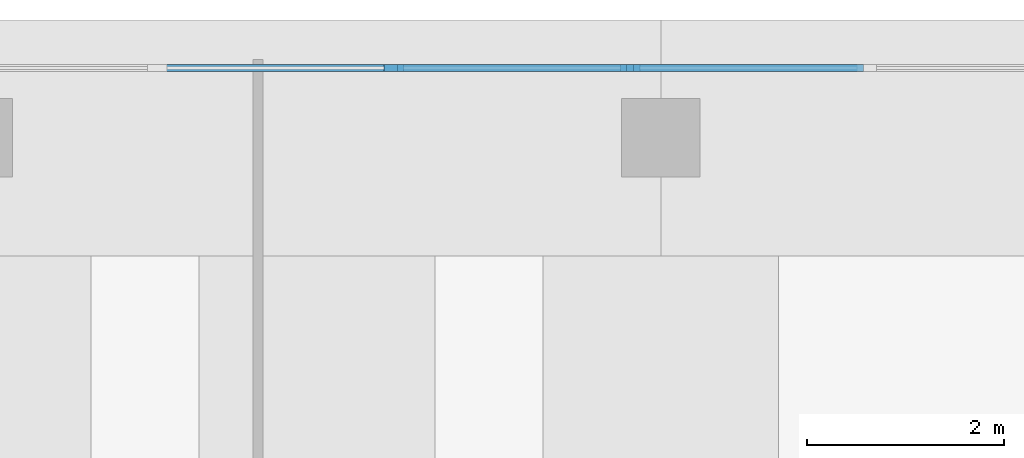
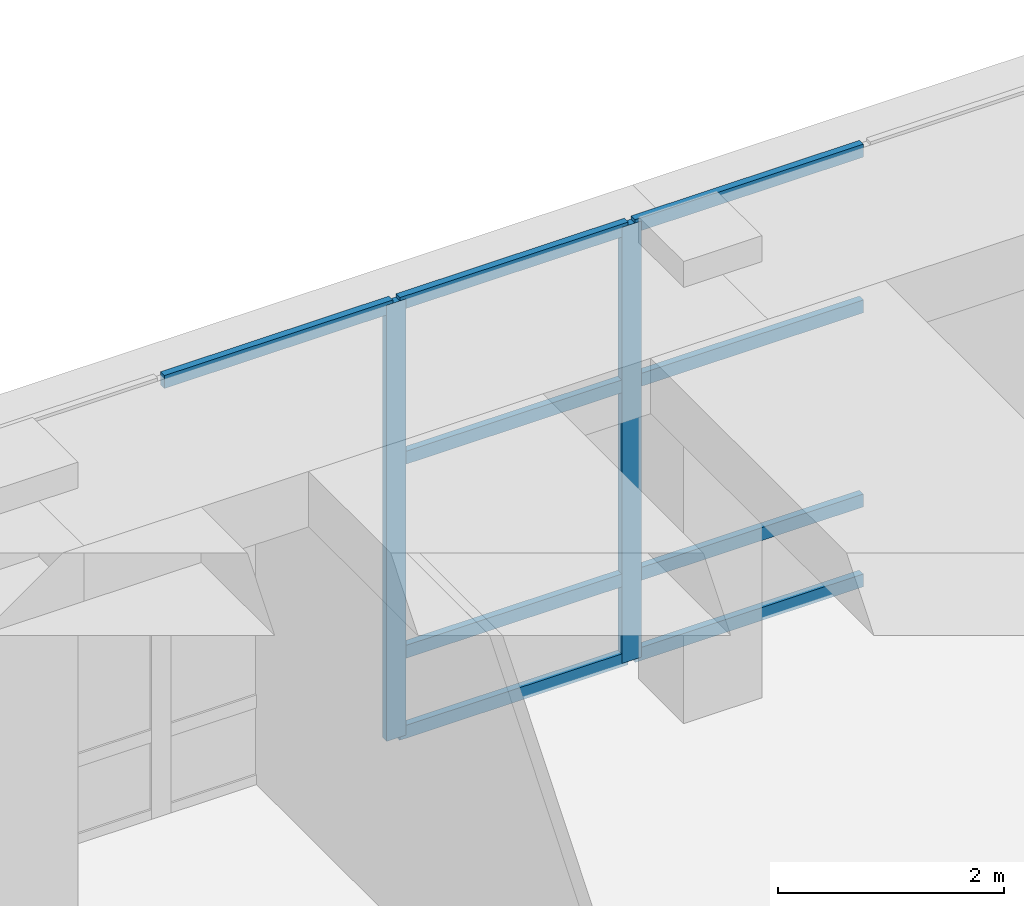
# One storey, part 10 of 22: 11 members, 1 element without a shape of its own.
"""IFC4 building model written with IfcOpenShell, lengths in metres."""

from ifc_helpers import new_model, si_unit, direction, frame, origin, origin_2d, place, context, subcontext, project, spatial, rectangle, extrude, material, material_profile, profile_set, type_object, element, aggregate, save


model = new_model("IFC4")

# Units and contexts
model_context = context("Model", 3, precision=1e-05, world=origin(), true_north=direction((0.0, 1.0)))
body_context = subcontext(model_context, "Body", "Model", "MODEL_VIEW")
ifc_project = project(units=[si_unit("LENGTHUNIT", "METRE"), si_unit("AREAUNIT", "SQUARE_METRE"), si_unit("VOLUMEUNIT", "CUBIC_METRE"), si_unit("PLANEANGLEUNIT", "RADIAN"), si_unit("MASSUNIT", "GRAM", prefix="KILO")], contexts=[model_context])

# Site, building, storey
site_placement = place(None, origin())
site = spatial("IfcSite", under=ifc_project, at=site_placement, CompositionType="ELEMENT")
building_placement = place(site_placement, origin())
building = spatial("IfcBuilding", under=site, at=building_placement, Name="Jalousie Tower", CompositionType="ELEMENT")
storey_placement = place(building_placement, frame((0.0, 0.0, 6.0)))
storey = spatial("IfcBuildingStorey", under=building, at=storey_placement, Name="L01", CompositionType="ELEMENT", Elevation=6.0)

# Curtain wall, members
ifc_material_1 = material(Name="Aluminium curtain wall", Category="aluminium")
curtain_wall_type = type_object("IfcCurtainWallType", Name="PODIUM WINDOW WALL", PredefinedType="USERDEFINED", material=ifc_material_1)
curtain_wall_placement = place(storey_placement, origin())
curtain_wall = element("IfcCurtainWall", 1, at=curtain_wall_placement, inside=storey, type_object=curtain_wall_type, Name="Podium Window Wall L01 21", ObjectType="PODIUM WINDOW WALL", PredefinedType="USERDEFINED")
ifc_material_2 = material(Name="Aluminium mullion", Category="aluminium")
ifc_material_profile_1 = material_profile(ifc_material_2, rectangle(XDim=0.070068359375, YDim=0.199951171875, at=origin_2d()), Name="MULLION 70x200")
ifc_profile_set_1 = profile_set([ifc_material_profile_1], Name="Aluminium mullion")
member_type_1 = type_object("IfcMemberType", Name="PODIUM WINDOW WALL MULLION", PredefinedType="MULLION", material=ifc_profile_set_1)
member_1_placement = place(storey_placement, frame((52.689208984375, 45.91259765625, 0.0), z_axis=(0.0, 0.0, 1.0), x_axis=(0.0, -1.0, 0.0)))
member_1 = element("IfcMember", 2, at=member_1_placement, type_object=member_type_1, Name="CW-P mullion 4", PredefinedType="MULLION", context=body_context, shape_type="SweptSolid", body=[
    extrude(rectangle(XDim=0.070068359375, YDim=0.199951171875, at=origin_2d()), origin(), (0.0, 0.0, 1.0), 4.719970703125),
])
member_2_placement = place(storey_placement, frame((50.281494140625, 45.91259765625, 0.0), z_axis=(0.0, 0.0, 1.0), x_axis=(0.0, -1.0, 0.0)))
member_2 = element("IfcMember", 3, at=member_2_placement, type_object=member_type_1, Name="CW-P mullion 5", PredefinedType="MULLION", context=body_context, shape_type="SweptSolid", body=[
    extrude(rectangle(XDim=0.070068359375, YDim=0.199951171875, at=origin_2d()), origin(), (0.0, 0.0, 1.0), 4.719970703125),
])
ifc_material_3 = material(Name="Aluminium transom", Category="aluminium")
ifc_material_profile_2 = material_profile(ifc_material_3, rectangle(XDim=0.070068359375, YDim=0.139892578125, at=origin_2d()), Name="TRANSOM 70x140")
ifc_profile_set_2 = profile_set([ifc_material_profile_2], Name="Aluminium transom")
member_type_2 = type_object("IfcMemberType", Name="PODIUM WINDOW WALL TRANSOM", PredefinedType="USERDEFINED", material=ifc_profile_set_2)
member_3_placement = place(storey_placement, frame((55.06201171875, 45.91259765625, 0.034912109375), z_axis=(-1.0, 0.0, 0.0), x_axis=(0.0, -1.0, 0.0)))
member_3 = element("IfcMember", 4, at=member_3_placement, type_object=member_type_2, Name="CW-P transom 3.1", ObjectType="TRANSOM", PredefinedType="USERDEFINED", context=body_context, shape_type="SweptSolid", body=[
    extrude(rectangle(XDim=0.070068359375, YDim=0.139892578125, at=origin_2d()), origin(), (0.0, 0.0, 1.0), 2.337890625),
])
member_4_placement = place(storey_placement, frame((55.06201171875, 45.91259765625, 0.89990234375), z_axis=(-1.0, 0.0, 0.0), x_axis=(0.0, -1.0, 0.0)))
member_4 = element("IfcMember", 5, at=member_4_placement, type_object=member_type_2, Name="CW-P transom 3.2", ObjectType="TRANSOM", PredefinedType="USERDEFINED", context=body_context, shape_type="SweptSolid", body=[
    extrude(rectangle(XDim=0.070068359375, YDim=0.139892578125, at=origin_2d()), origin(), (0.0, 0.0, 1.0), 2.337890625),
])
member_5_placement = place(storey_placement, frame((55.06201171875, 45.91259765625, 3.0), z_axis=(-1.0, 0.0, 0.0), x_axis=(0.0, -1.0, 0.0)))
member_5 = element("IfcMember", 6, at=member_5_placement, type_object=member_type_2, Name="CW-P transom 3.3", ObjectType="TRANSOM", PredefinedType="USERDEFINED", context=body_context, shape_type="SweptSolid", body=[
    extrude(rectangle(XDim=0.070068359375, YDim=0.139892578125, at=origin_2d()), origin(), (0.0, 0.0, 1.0), 2.337890625),
])
member_6_placement = place(storey_placement, frame((55.06201171875, 45.91259765625, 4.68505859375), z_axis=(-1.0, 0.0, 0.0), x_axis=(0.0, -1.0, 0.0)))
member_6 = element("IfcMember", 7, at=member_6_placement, type_object=member_type_2, Name="CW-P transom 3.4", ObjectType="TRANSOM", PredefinedType="USERDEFINED", context=body_context, shape_type="SweptSolid", body=[
    extrude(rectangle(XDim=0.070068359375, YDim=0.139892578125, at=origin_2d()), origin(), (0.0, 0.0, 1.0), 2.337890625),
])
member_7_placement = place(storey_placement, frame((52.654296875, 45.91259765625, 0.034912109375), z_axis=(-1.0, 0.0, 0.0), x_axis=(0.0, -1.0, 0.0)))
member_7 = element("IfcMember", 8, at=member_7_placement, type_object=member_type_2, Name="CW-P transom 4.1", ObjectType="TRANSOM", PredefinedType="USERDEFINED", context=body_context, shape_type="SweptSolid", body=[
    extrude(rectangle(XDim=0.070068359375, YDim=0.139892578125, at=origin_2d()), origin(), (0.0, 0.0, 1.0), 2.337890625),
])
member_8_placement = place(storey_placement, frame((52.654296875, 45.91259765625, 0.89990234375), z_axis=(-1.0, 0.0, 0.0), x_axis=(0.0, -1.0, 0.0)))
member_8 = element("IfcMember", 9, at=member_8_placement, type_object=member_type_2, Name="CW-P transom 4.2", ObjectType="TRANSOM", PredefinedType="USERDEFINED", context=body_context, shape_type="SweptSolid", body=[
    extrude(rectangle(XDim=0.070068359375, YDim=0.139892578125, at=origin_2d()), origin(), (0.0, 0.0, 1.0), 2.337890625),
])
member_9_placement = place(storey_placement, frame((52.654296875, 45.91259765625, 3.0), z_axis=(-1.0, 0.0, 0.0), x_axis=(0.0, -1.0, 0.0)))
member_9 = element("IfcMember", 10, at=member_9_placement, type_object=member_type_2, Name="CW-P transom 4.3", ObjectType="TRANSOM", PredefinedType="USERDEFINED", context=body_context, shape_type="SweptSolid", body=[
    extrude(rectangle(XDim=0.070068359375, YDim=0.139892578125, at=origin_2d()), origin(), (0.0, 0.0, 1.0), 2.337890625),
])
member_10_placement = place(storey_placement, frame((52.654296875, 45.91259765625, 4.68505859375), z_axis=(-1.0, 0.0, 0.0), x_axis=(0.0, -1.0, 0.0)))
member_10 = element("IfcMember", 11, at=member_10_placement, type_object=member_type_2, Name="CW-P transom 4.4", ObjectType="TRANSOM", PredefinedType="USERDEFINED", context=body_context, shape_type="SweptSolid", body=[
    extrude(rectangle(XDim=0.070068359375, YDim=0.139892578125, at=origin_2d()), origin(), (0.0, 0.0, 1.0), 2.337890625),
])
member_11_placement = place(storey_placement, frame((50.24658203125, 45.91259765625, 4.68505859375), z_axis=(-1.0, 0.0, 0.0), x_axis=(0.0, -1.0, 0.0)))
member_11 = element("IfcMember", 12, at=member_11_placement, type_object=member_type_2, Name="CW-P transom 5.4", ObjectType="TRANSOM", PredefinedType="USERDEFINED", context=body_context, shape_type="SweptSolid", body=[
    extrude(rectangle(XDim=0.070068359375, YDim=0.139892578125, at=origin_2d()), origin(), (0.0, 0.0, 1.0), 2.337890625),
])
aggregate(curtain_wall, [member_1, member_2, member_3, member_4, member_5, member_6, member_7, member_8, member_9, member_10, member_11])

save(model, "model.ifc")
